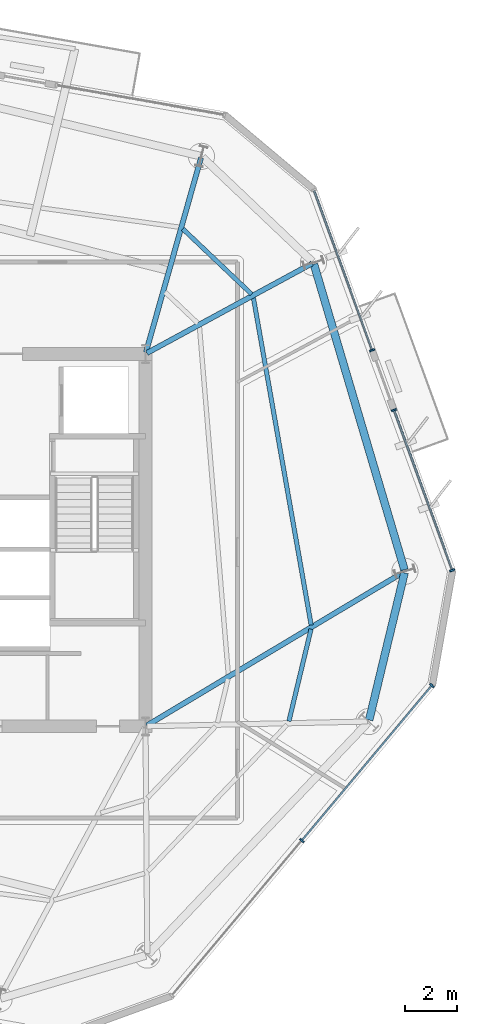
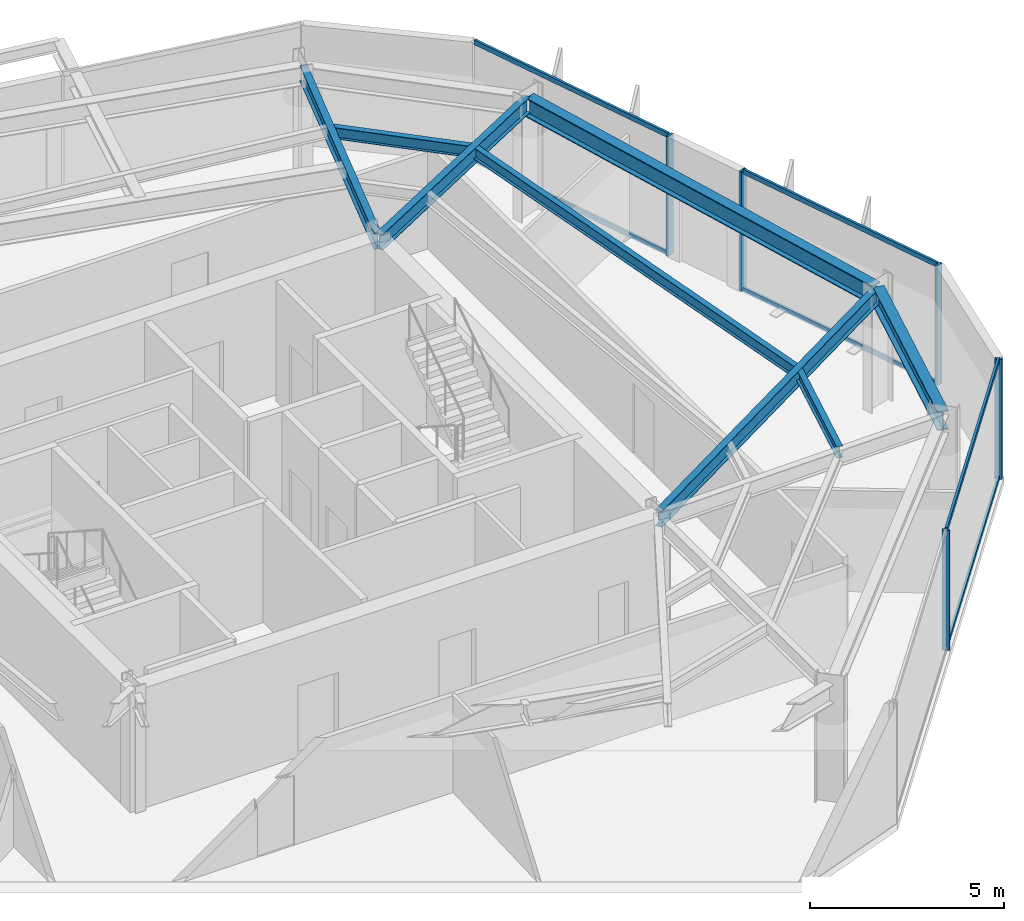
# One storey, part 4 of 11: 11 members, 8 beams, 3 elements without a shape of their own.
"""IFC4 building model written with IfcOpenShell, lengths in metres."""

from ifc_helpers import new_model, si_unit, direction, frame, origin, origin_2d, place, context, subcontext, project, spatial, rectangle, i_section, extrude, material, layer, layer_set, material_profile, profile_set, type_object, element, aggregate, save


model = new_model("IFC4")

# Units and contexts
model_context = context("Model", 3, precision=1e-05, world=origin(), true_north=direction((0.0, 1.0)))
body_context = subcontext(model_context, "Body", "Model", "MODEL_VIEW")
ifc_project = project(units=[si_unit("LENGTHUNIT", "METRE"), si_unit("AREAUNIT", "SQUARE_METRE"), si_unit("VOLUMEUNIT", "CUBIC_METRE"), si_unit("PLANEANGLEUNIT", "RADIAN"), si_unit("MASSUNIT", "GRAM", prefix="KILO")], contexts=[model_context])

# Site, building, storey
site_placement = place(None, origin())
site = spatial("IfcSite", under=ifc_project, at=site_placement, CompositionType="ELEMENT")
building_placement = place(site_placement, origin())
building = spatial("IfcBuilding", under=site, at=building_placement, Name="Kranzbogen Civic Tower", CompositionType="ELEMENT")
storey_placement = place(building_placement, frame((0.0, 0.0, 224.800048828125)))
storey = spatial("IfcBuildingStorey", under=building, at=storey_placement, Name="L54", CompositionType="ELEMENT", Elevation=224.800048828125)

# Curtain wall, members
ifc_material_1 = material(Name="Pale Anodised Aluminium", Category="aluminium")
ifc_layer = layer(ifc_material_1, 0.219970703125, Name="Pale Anodised Aluminium")
ifc_layer_set = layer_set([ifc_layer], Name="Pale Anodised Aluminium")
curtain_wall_type = type_object("IfcCurtainWallType", Name="Zone 3 Stick Curtain Wall System CW-04", PredefinedType="USERDEFINED", material=ifc_layer_set)
curtain_wall_1_placement = place(storey_placement, origin())
curtain_wall_1 = element("IfcCurtainWall", 1, at=curtain_wall_1_placement, inside=storey, type_object=curtain_wall_type, Name="L54 curtain wall CW-L54-F5", ObjectType="STICK CURTAIN WALL", PredefinedType="USERDEFINED")
ifc_material_profile_1 = material_profile(ifc_material_1, rectangle(XDim=0.070068359375, YDim=0.199951171875, at=origin_2d()), Name="ALU-M 70x200")
ifc_profile_set_1 = profile_set([ifc_material_profile_1], Name="Pale Anodised Aluminium")
member_type_1 = type_object("IfcMemberType", Name="Curtain Wall Mullion ALU-M 70x200", PredefinedType="MULLION", material=ifc_profile_set_1)
member_1_placement = place(storey_placement, frame((38.843994140625, 13.383544921875, 0.0), z_axis=(0.0, 0.0, 1.0), x_axis=(0.642754513529, 0.766072212874, 0.0)))
member_1 = element("IfcMember", 2, at=member_1_placement, type_object=member_type_1, Name="CW-04 mullion 2", PredefinedType="MULLION", context=body_context, shape_type="SweptSolid", body=[
    extrude(rectangle(XDim=0.070068359375, YDim=0.199951171875, at=origin_2d()), origin(), (0.0, 0.0, 1.0), 3.780029296875),
])
member_2_placement = place(storey_placement, frame((43.872802734375, 19.376953125, 0.0), z_axis=(0.0, 0.0, 1.0), x_axis=(0.642754513529, 0.766072212874, 0.0)))
member_2 = element("IfcMember", 3, at=member_2_placement, type_object=member_type_1, Name="CW-04 mullion 3", PredefinedType="MULLION", context=body_context, shape_type="SweptSolid", body=[
    extrude(rectangle(XDim=0.070068359375, YDim=0.199951171875, at=origin_2d()), origin(), (0.0, 0.0, 1.0), 3.780029296875),
])

curtain_wall_2_placement = place(storey_placement, origin())
curtain_wall_2 = element("IfcCurtainWall", 4, at=curtain_wall_2_placement, inside=storey, type_object=curtain_wall_type, Name="L54 curtain wall CW-L54-F6-S1", ObjectType="STICK CURTAIN WALL", PredefinedType="USERDEFINED")
member_3_placement = place(storey_placement, frame((44.65771484375, 23.8291015625, 0.0), z_axis=(0.0, 0.0, 1.0), x_axis=(-0.342032633583, 0.93968807461, 0.0)))
member_3 = element("IfcMember", 5, at=member_3_placement, type_object=member_type_1, Name="CW-04 mullion 1", PredefinedType="MULLION", context=body_context, shape_type="SweptSolid", body=[
    extrude(rectangle(XDim=0.070068359375, YDim=0.199951171875, at=origin_2d()), origin(), (0.0, 0.0, 1.0), 3.780029296875),
])
member_4_placement = place(storey_placement, frame((42.40234375, 30.02587890625, 0.0), z_axis=(0.0, 0.0, 1.0), x_axis=(-0.342032633583, 0.93968807461, 0.0)))
member_4 = element("IfcMember", 6, at=member_4_placement, type_object=member_type_1, Name="CW-04 mullion 2", PredefinedType="MULLION", context=body_context, shape_type="SweptSolid", body=[
    extrude(rectangle(XDim=0.070068359375, YDim=0.199951171875, at=origin_2d()), origin(), (0.0, 0.0, 1.0), 3.780029296875),
])

# Curtain wall, member
curtain_wall_3_placement = place(storey_placement, origin())
curtain_wall_3 = element("IfcCurtainWall", 7, at=curtain_wall_3_placement, inside=storey, type_object=curtain_wall_type, Name="L54 curtain wall CW-L54-F6-S2", ObjectType="STICK CURTAIN WALL", PredefinedType="USERDEFINED")
member_5_placement = place(storey_placement, frame((41.560791015625, 32.337158203125, 0.0), z_axis=(0.0, 0.0, 1.0), x_axis=(-0.342080939887, 0.93967049042, 0.0)))
member_5 = element("IfcMember", 8, at=member_5_placement, type_object=member_type_1, Name="CW-04 mullion 1", PredefinedType="MULLION", context=body_context, shape_type="SweptSolid", body=[
    extrude(rectangle(XDim=0.070068359375, YDim=0.199951171875, at=origin_2d()), origin(), (0.0, 0.0, 1.0), 3.780029296875),
])

# Member
ifc_material_profile_2 = material_profile(ifc_material_1, rectangle(XDim=0.070068359375, YDim=0.14990234375, at=origin_2d()), Name="ALU-T 70x150")
ifc_profile_set_2 = profile_set([ifc_material_profile_2], Name="Pale Anodised Aluminium")
member_type_2 = type_object("IfcMemberType", Name="Curtain Wall Transom ALU-T 70x150", PredefinedType="USERDEFINED", material=ifc_profile_set_2)
member_6_placement = place(storey_placement, frame((38.86328125, 13.406494140625, 0.030029296875), z_axis=(0.642763507001, 0.766064667028, 0.0), x_axis=(-0.766064667028, 0.642763507001, 0.0)))
member_6 = element("IfcMember", 9, at=member_6_placement, type_object=member_type_2, Name="CW-04 transom 2.1", ObjectType="TRANSOM", PredefinedType="USERDEFINED", context=body_context, shape_type="SweptSolid", body=[
    extrude(rectangle(XDim=0.070068359375, YDim=0.14990234375, at=origin_2d()), origin(), (0.0, 0.0, 1.0), 7.763671875),
])

member_7_placement = place(storey_placement, frame((38.86328125, 13.406494140625, 3.75), z_axis=(0.642763507001, 0.766064667028, 0.0), x_axis=(-0.766064667028, 0.642763507001, 0.0)))
member_7 = element("IfcMember", 10, at=member_7_placement, type_object=member_type_2, Name="CW-04 transom 2.2", ObjectType="TRANSOM", PredefinedType="USERDEFINED", context=body_context, shape_type="SweptSolid", body=[
    extrude(rectangle(XDim=0.070068359375, YDim=0.14990234375, at=origin_2d()), origin(), (0.0, 0.0, 1.0), 7.763671875),
])

aggregate(curtain_wall_1, [member_1, member_2, member_6, member_7])

member_8_placement = place(storey_placement, frame((44.6474609375, 23.857421875, 0.030029296875), z_axis=(-0.342025046316, 0.939690836229, 0.0), x_axis=(-0.939690836229, -0.342025046316, 0.0)))
member_8 = element("IfcMember", 11, at=member_8_placement, type_object=member_type_2, Name="CW-04 transom 1.1", ObjectType="TRANSOM", PredefinedType="USERDEFINED", context=body_context, shape_type="SweptSolid", body=[
    extrude(rectangle(XDim=0.070068359375, YDim=0.14990234375, at=origin_2d()), origin(), (0.0, 0.0, 1.0), 6.5341796875),
])

member_9_placement = place(storey_placement, frame((44.6474609375, 23.857421875, 3.75), z_axis=(-0.342025046316, 0.939690836229, 0.0), x_axis=(-0.939690836229, -0.342025046316, 0.0)))
member_9 = element("IfcMember", 12, at=member_9_placement, type_object=member_type_2, Name="CW-04 transom 1.2", ObjectType="TRANSOM", PredefinedType="USERDEFINED", context=body_context, shape_type="SweptSolid", body=[
    extrude(rectangle(XDim=0.070068359375, YDim=0.14990234375, at=origin_2d()), origin(), (0.0, 0.0, 1.0), 6.5341796875),
])

aggregate(curtain_wall_2, [member_3, member_4, member_8, member_9])

member_10_placement = place(storey_placement, frame((41.550537109375, 32.365478515625, 0.030029296875), z_axis=(-0.342106082149, 0.939661337162, 0.0), x_axis=(-0.939661337162, -0.342106082149, 0.0)))
member_10 = element("IfcMember", 13, at=member_10_placement, type_object=member_type_2, Name="CW-04 transom 1.1", ObjectType="TRANSOM", PredefinedType="USERDEFINED", context=body_context, shape_type="SweptSolid", body=[
    extrude(rectangle(XDim=0.070068359375, YDim=0.14990234375, at=origin_2d()), origin(), (0.0, 0.0, 1.0), 6.533447265625),
])

member_11_placement = place(storey_placement, frame((41.550537109375, 32.365478515625, 3.75), z_axis=(-0.342106082149, 0.939661337162, 0.0), x_axis=(-0.939661337162, -0.342106082149, 0.0)))
member_11 = element("IfcMember", 14, at=member_11_placement, type_object=member_type_2, Name="CW-04 transom 1.2", ObjectType="TRANSOM", PredefinedType="USERDEFINED", context=body_context, shape_type="SweptSolid", body=[
    extrude(rectangle(XDim=0.070068359375, YDim=0.14990234375, at=origin_2d()), origin(), (0.0, 0.0, 1.0), 6.533447265625),
])

aggregate(curtain_wall_3, [member_5, member_10, member_11])

# Beams
ifc_material_2 = material(Name="Steel S355", Category="steel")
ifc_material_profile_3 = material_profile(ifc_material_2, i_section(OverallWidth=0.300048828125, OverallDepth=0.60009765625, WebThickness=0.015380859375, FlangeThickness=0.030029296875, at=origin_2d()), Name="HEB 600")
ifc_profile_set_3 = profile_set([ifc_material_profile_3], Name="Steel S355")
beam_type_1 = type_object("IfcBeamType", Name="Perimeter Tube Spandrel Beam HEB 600", PredefinedType="SPANDREL", material=ifc_profile_set_3)
beam_1_placement = place(storey_placement, frame((41.447021484375, 18.0419921875, 3.47998046875), z_axis=(0.233554380434, 0.972343741369, 0.0), x_axis=(-0.972343741369, 0.233554380434, 0.0)))
element("IfcBeam", 15, at=beam_1_placement, inside=storey, type_object=beam_type_1, Name="L54 perimeter spandrel beam 05", PredefinedType="SPANDREL", context=body_context, shape_type="SweptSolid", body=[
    extrude(i_section(OverallWidth=0.300048828125, OverallDepth=0.60009765625, WebThickness=0.015380859375, FlangeThickness=0.030029296875, at=origin_2d()), origin(), (0.0, 0.0, 1.0), 5.852783203125),
])
beam_2_placement = place(storey_placement, frame((42.81103515625, 23.84912109375, 3.47998046875), z_axis=(-0.284064048956, 0.958805306666, 0.0), x_axis=(-0.958805306666, -0.284064048956, 0.0)))
element("IfcBeam", 16, at=beam_2_placement, inside=storey, type_object=beam_type_1, Name="L54 perimeter spandrel beam 06", PredefinedType="SPANDREL", context=body_context, shape_type="SweptSolid", body=[
    extrude(i_section(OverallWidth=0.300048828125, OverallDepth=0.60009765625, WebThickness=0.015380859375, FlangeThickness=0.030029296875, at=origin_2d()), origin(), (0.0, 0.0, 1.0), 12.32470703125),
])
ifc_material_profile_4 = material_profile(ifc_material_2, i_section(OverallWidth=0.199951171875, OverallDepth=0.5, WebThickness=0.01025390625, FlangeThickness=0.01611328125, at=origin_2d()), Name="IPE 500")
ifc_profile_set_4 = profile_set([ifc_material_profile_4], Name="Steel S355")
beam_type_2 = type_object("IfcBeamType", Name="Radial Tower Floor Girder IPE 500", PredefinedType="BEAM", material=ifc_profile_set_4)
beam_3_placement = place(storey_placement, frame((42.77587890625, 23.760009765625, 3.530029296875), z_axis=(-0.858458551809, -0.512882944565, 0.0), x_axis=(0.512882944565, -0.858458551809, 0.0)))
element("IfcBeam", 17, at=beam_3_placement, inside=storey, type_object=beam_type_2, Name="L54 radial floor girder 06", PredefinedType="BEAM", context=body_context, shape_type="SweptSolid", body=[
    extrude(i_section(OverallWidth=0.199951171875, OverallDepth=0.5, WebThickness=0.01025390625, FlangeThickness=0.01611328125, at=origin_2d()), origin(), (0.0, 0.0, 1.0), 11.56005859375),
])
beam_4_placement = place(storey_placement, frame((39.239990234375, 35.695068359375, 3.530029296875), z_axis=(-0.878919430102, -0.476970266777, 0.0), x_axis=(0.476970266777, -0.878919430102, 0.0)))
element("IfcBeam", 18, at=beam_4_placement, inside=storey, type_object=beam_type_2, Name="L54 radial floor girder 07", PredefinedType="BEAM", context=body_context, shape_type="SweptSolid", body=[
    extrude(i_section(OverallWidth=0.199951171875, OverallDepth=0.5, WebThickness=0.01025390625, FlangeThickness=0.01611328125, at=origin_2d()), origin(), (0.0, 0.0, 1.0), 7.266845703125),
])
beam_5_placement = place(storey_placement, frame((34.945068359375, 39.777099609375, 3.530029296875), z_axis=(-0.272455078988, -0.962168503919, 0.0), x_axis=(0.962168503919, -0.272455078988, 0.0)))
element("IfcBeam", 19, at=beam_5_placement, inside=storey, type_object=beam_type_2, Name="L54 radial floor girder 08", PredefinedType="BEAM", context=body_context, shape_type="SweptSolid", body=[
    extrude(i_section(OverallWidth=0.199951171875, OverallDepth=0.5, WebThickness=0.01025390625, FlangeThickness=0.01611328125, at=origin_2d()), origin(), (0.0, 0.0, 1.0), 7.814697265625),
])
ifc_material_profile_5 = material_profile(ifc_material_2, i_section(OverallWidth=0.169921875, OverallDepth=0.360107421875, WebThickness=0.008056640625, FlangeThickness=0.0126953125, at=origin_2d()), Name="IPE 360")
ifc_profile_set_5 = profile_set([ifc_material_profile_5], Name="Steel S355")
beam_type_3 = type_object("IfcBeamType", Name="Secondary Composite Floor Joist IPE 360", PredefinedType="JOIST", material=ifc_profile_set_5)
beam_6_placement = place(storey_placement, frame((38.343994140625, 17.99609375, 3.599853515625), z_axis=(0.233534367714, 0.972348548154, 0.0), x_axis=(-0.972348548154, 0.233534367714, 0.0)))
element("IfcBeam", 20, at=beam_6_placement, inside=storey, type_object=beam_type_3, Name="L54 secondary floor joist 1.05", PredefinedType="JOIST", context=body_context, shape_type="SweptSolid", body=[
    extrude(i_section(OverallWidth=0.169921875, OverallDepth=0.360107421875, WebThickness=0.008056640625, FlangeThickness=0.0126953125, at=origin_2d()), origin(), (0.0, 0.0, 1.0), 3.6611328125),
])
beam_7_placement = place(storey_placement, frame((39.2041015625, 21.712890625, 3.599853515625), z_axis=(-0.173805911364, 0.984779927281, 0.0), x_axis=(-0.984779927281, -0.173805911364, 0.0)))
element("IfcBeam", 21, at=beam_7_placement, inside=storey, type_object=beam_type_3, Name="L54 secondary floor joist 1.06", PredefinedType="JOIST", context=body_context, shape_type="SweptSolid", body=[
    extrude(i_section(OverallWidth=0.169921875, OverallDepth=0.360107421875, WebThickness=0.008056640625, FlangeThickness=0.0126953125, at=origin_2d()), origin(), (0.0, 0.0, 1.0), 12.85986328125),
])
beam_8_placement = place(storey_placement, frame((36.89697265625, 34.510009765625, 3.599853515625), z_axis=(-0.725300648604, 0.688432254572, 0.0), x_axis=(-0.688432254572, -0.725300648604, 0.0)))
element("IfcBeam", 22, at=beam_8_placement, inside=storey, type_object=beam_type_3, Name="L54 secondary floor joist 1.07", PredefinedType="JOIST", context=body_context, shape_type="SweptSolid", body=[
    extrude(i_section(OverallWidth=0.169921875, OverallDepth=0.360107421875, WebThickness=0.008056640625, FlangeThickness=0.0126953125, at=origin_2d()), origin(), (0.0, 0.0, 1.0), 3.661865234375),
])

save(model, "model.ifc")
